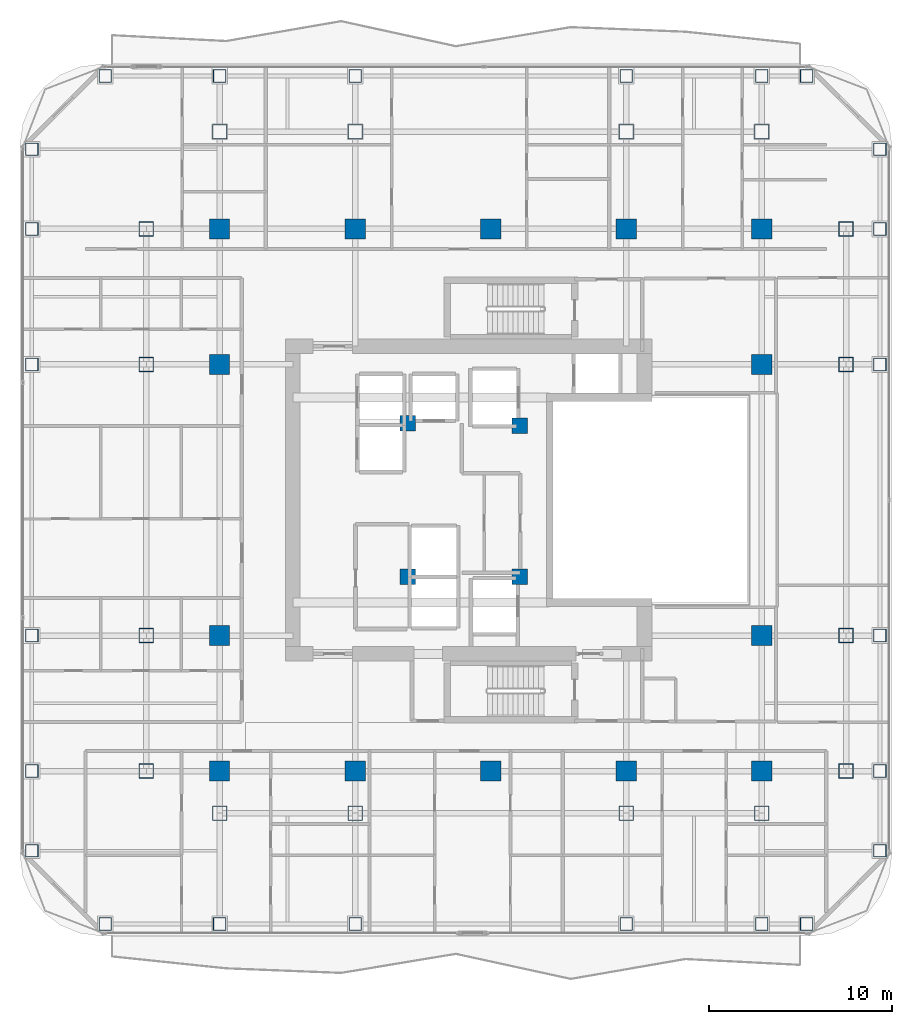
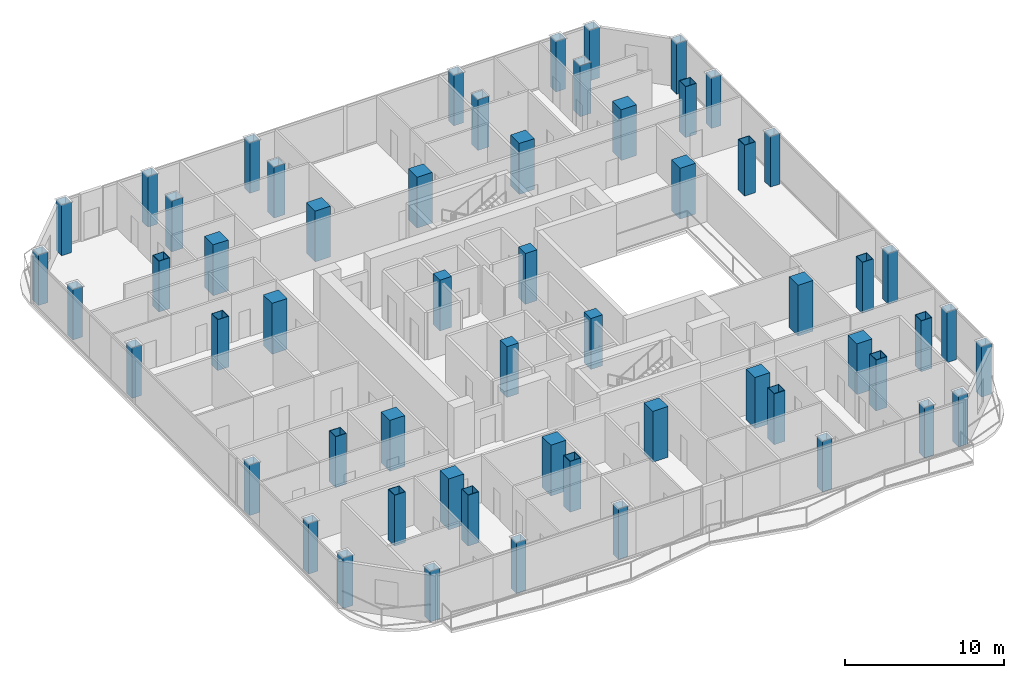
# One storey, part 1 of 26: 58 columns.
"""IFC4 building model written with IfcOpenShell, lengths in metres."""

import ifcopenshell
import ifcopenshell.guid

model = None  # the IFC model being written
_history = None  # IfcOwnerHistory: only IFC2X3 demands one
_inside = {}  # id of a spatial element -> (the spatial element, [elements in it])
_under = {}  # id of a project, library or spatial element -> (it, [spatial elements below it])
_declared = {}  # id of a project -> (the project, [libraries it declares])
_typed = {}  # id of a type object -> (the type object, [elements of that type])
_made_of = {}  # id of a material, layer set ... -> (it, [elements and type objects made of it])


def new_model(schema):
    """Start an empty IFC model of exactly this schema.

    Asked for "IFC4X3", IfcOpenShell would pick the latest addendum, in which some entities
    have other attributes; the version numbers below select the first issue.
    IFC2X3 requires an IfcOwnerHistory on every rooted entity: one is made here for all.
    """
    global model, _history
    if schema == "IFC4X3":
        model = ifcopenshell.file(schema_version=(4, 3, 0, 0))
    else:
        model = ifcopenshell.file(schema=schema)
    _inside.clear()
    _under.clear()
    _declared.clear()
    _typed.clear()
    _made_of.clear()
    _history = None
    if model.schema == "IFC2X3":
        org = make("IfcOrganization", Name="unknown")
        user = make(
            "IfcPersonAndOrganization",
            ThePerson=make("IfcPerson", FamilyName="unknown"),
            TheOrganization=org,
        )
        app = make(
            "IfcApplication",
            ApplicationDeveloper=org,
            Version="unknown",
            ApplicationFullName="unknown",
            ApplicationIdentifier="unknown",
        )
        _history = make(
            "IfcOwnerHistory",
            OwningUser=user,
            OwningApplication=app,
            ChangeAction="ADDED",
            CreationDate=0,
        )
    return model


def make(cls, **values):
    """One entity of the class cls with the attributes given. An attribute that is None is left unset."""
    return model.create_entity(
        cls, **{name: value for name, value in values.items() if value is not None}
    )


def rooted(cls, **values):
    """An entity with a GlobalId (a new one), such as an element, a storey or a relation."""
    return make(cls, GlobalId=ifcopenshell.guid.new(), OwnerHistory=_history, **values)


def si_unit(unit_type, name, prefix=None):
    """IfcSIUnit, for example si_unit("LENGTHUNIT", "METRE", prefix="MILLI")."""
    return make("IfcSIUnit", UnitType=unit_type, Prefix=prefix, Name=name)


def assignment(units):
    """IfcUnitAssignment: the units of a project."""
    return None if units is None else make("IfcUnitAssignment", Units=units)


def point(xyz):
    """IfcCartesianPoint."""
    return None if xyz is None else make("IfcCartesianPoint", Coordinates=xyz)


def direction(xyz):
    """IfcDirection."""
    return None if xyz is None else make("IfcDirection", DirectionRatios=xyz)


def frame(location, z_axis=None, x_axis=None):
    """IfcAxis2Placement3D, a coordinate frame: its origin and axes. An axis left out is left unset."""
    return make(
        "IfcAxis2Placement3D",
        Location=point(location),
        Axis=direction(z_axis),
        RefDirection=direction(x_axis),
    )


def frame_2d(location, x_axis=None):
    """IfcAxis2Placement2D, a coordinate frame in the plane: its origin and x axis."""
    return make(
        "IfcAxis2Placement2D", Location=point(location), RefDirection=direction(x_axis)
    )


def origin():
    """The frame at (0, 0, 0) with its axes left unset."""
    return frame((0.0, 0.0, 0.0))


def origin_2d():
    """The frame at (0, 0) in the plane with its x axis left unset."""
    return frame_2d((0.0, 0.0))


def place(relative_to, where):
    """IfcLocalPlacement: puts the frame where relative to a parent placement (None: the world)."""
    return make(
        "IfcLocalPlacement", PlacementRelTo=relative_to, RelativePlacement=where
    )


def context(
    kind, dimensions, precision=None, world=None, true_north=None, identifier=None
):
    """IfcGeometricRepresentationContext, for example the 3D "Model" context."""
    return make(
        "IfcGeometricRepresentationContext",
        ContextIdentifier=identifier,
        ContextType=kind,
        CoordinateSpaceDimension=dimensions,
        Precision=precision,
        WorldCoordinateSystem=world,
        TrueNorth=true_north,
    )


def subcontext(parent, identifier, kind, view, scale=None):
    """IfcGeometricRepresentationSubContext, for example "Body" below "Model"."""
    return make(
        "IfcGeometricRepresentationSubContext",
        ContextIdentifier=identifier,
        ContextType=kind,
        ParentContext=parent,
        TargetScale=scale,
        TargetView=view,
    )


def project(units=None, contexts=None):
    """IfcProject with its units and contexts."""
    return rooted(
        "IfcProject",
        Name="project",
        RepresentationContexts=contexts,
        UnitsInContext=assignment(units),
    )


def spatial(cls, under=None, at=None, **own):
    """A site, building, storey or space (cls), placed at a placement, below another one or the project."""
    s = rooted(cls, ObjectPlacement=at, **own)
    if under is not None:
        _under.setdefault(under.id(), (under, []))[1].append(s)
    return s


def profile(cls, at=None, kind="AREA", **sizes):
    """A parametric profile (cls). Its sizes go by their IFC names, for example OverallWidth=200.0."""
    return make(cls, ProfileType=kind, Position=at, **sizes)


def rectangle(**sizes):
    """IfcRectangleProfileDef."""
    return profile("IfcRectangleProfileDef", **sizes)


def hollow_rectangle(**sizes):
    """IfcRectangleHollowProfileDef."""
    return profile("IfcRectangleHollowProfileDef", **sizes)


def extrude(swept, where, along, depth):
    """IfcExtrudedAreaSolid: the profile swept, set in the frame where, extruded along a direction by depth."""
    return make(
        "IfcExtrudedAreaSolid",
        SweptArea=swept,
        Position=where,
        ExtrudedDirection=direction(along),
        Depth=depth,
    )


def shape(context_of_items, identifier, shape_type, items):
    """IfcShapeRepresentation: the items that make up one representation, for example the "Body"."""
    return make(
        "IfcShapeRepresentation",
        ContextOfItems=context_of_items,
        RepresentationIdentifier=identifier,
        RepresentationType=shape_type,
        Items=items,
    )


def material(Name=None, Category=None):
    """IfcMaterial."""
    return make("IfcMaterial", Name=Name, Category=Category)


def material_profile(
    of_material, cross_section, Name=None, Category=None, Priority=None
):
    """IfcMaterialProfile: a cross section and its material."""
    return make(
        "IfcMaterialProfile",
        Name=Name,
        Material=of_material,
        Profile=cross_section,
        Priority=Priority,
        Category=Category,
    )


def profile_set(profiles, Name=None, composite=None):
    """IfcMaterialProfileSet."""
    return make(
        "IfcMaterialProfileSet",
        Name=Name,
        MaterialProfiles=profiles,
        CompositeProfile=composite,
    )


def made_of(thing, what):
    """Note that an element or type object is made of a material, layer set ...; save() writes the relation."""
    if what is not None:
        _made_of.setdefault(what.id(), (what, []))[1].append(thing)
    return thing


def type_object(cls, material=None, **own):
    """A type object (cls), such as IfcWallType, which elements share."""
    return made_of(rooted(cls, **own), material)


def element(
    cls,
    number,
    at=None,
    inside=None,
    cuts=None,
    type_object=None,
    material=None,
    context=None,
    identifier="Body",
    shape_type=None,
    held_by="IfcProductDefinitionShape",
    body=None,
    shapes=None,
    **own,
):
    """One element of the class cls, such as IfcWall. Its Tag is "e" and its number.

    at: its placement. inside: the storey or other place that contains it. cuts: it is an
    opening in that element (IfcRelVoidsElement). A single representation is given by context,
    identifier, shape_type and body (its items); several are given by shapes. held_by: the class
    of the entity that holds the representations. save() writes the other relations.
    """
    e = rooted(cls, Tag="e%d" % number, ObjectPlacement=at, **own)
    if body is not None:
        shapes = [shape(context, identifier, shape_type, body)]
    if shapes is not None:
        e.Representation = make(held_by, Representations=shapes)
    if inside is not None:
        _inside.setdefault(inside.id(), (inside, []))[1].append(e)
    if cuts is not None:
        rooted(
            "IfcRelVoidsElement", RelatingBuildingElement=cuts, RelatedOpeningElement=e
        )
    if type_object is not None:
        _typed.setdefault(type_object.id(), (type_object, []))[1].append(e)
    return made_of(e, material)


def aggregate(whole, parts):
    """IfcRelAggregates: a whole, such as a stair, and the parts it consists of."""
    return rooted("IfcRelAggregates", RelatingObject=whole, RelatedObjects=parts)


def save(model, path):
    """Write the relations noted so far, then the file.

    IfcRelAggregates (storeys below a building ...), IfcRelContainedInSpatialStructure (elements
    in a storey), IfcRelDefinesByType, IfcRelAssociatesMaterial and IfcRelDeclares: one each for
    every whole, place, type object, material and project.
    """
    for whole, parts in _under.values():
        aggregate(whole, parts)
    for where, things in _inside.values():
        rooted(
            "IfcRelContainedInSpatialStructure",
            RelatedElements=things,
            RelatingStructure=where,
        )
    for kind, things in _typed.values():
        rooted("IfcRelDefinesByType", RelatedObjects=things, RelatingType=kind)
    for what, things in _made_of.values():
        rooted("IfcRelAssociatesMaterial", RelatedObjects=things, RelatingMaterial=what)
    for by, libraries in _declared.values():
        rooted("IfcRelDeclares", RelatingContext=by, RelatedDefinitions=libraries)
    model.write(path)


model = new_model("IFC4")

# Units and contexts
model_context = context("Model", 3, precision=1e-05, world=origin(), true_north=direction((0.0, 1.0)))
body_context = subcontext(model_context, "Body", "Model", "MODEL_VIEW")
ifc_project = project(units=[si_unit("LENGTHUNIT", "METRE"), si_unit("AREAUNIT", "SQUARE_METRE"), si_unit("VOLUMEUNIT", "CUBIC_METRE"), si_unit("PLANEANGLEUNIT", "RADIAN"), si_unit("MASSUNIT", "GRAM", prefix="KILO")], contexts=[model_context])

# Site, building, storey
site_placement = place(None, origin())
site = spatial("IfcSite", under=ifc_project, at=site_placement, CompositionType="ELEMENT")
building_placement = place(site_placement, origin())
building = spatial("IfcBuilding", under=site, at=building_placement, Name="Khorvyn Point Tower", CompositionType="ELEMENT")
storey_placement = place(building_placement, frame((0.0, 0.0, 187.5)))
storey = spatial("IfcBuildingStorey", under=building, at=storey_placement, Name="L46", CompositionType="ELEMENT", Elevation=187.5)

# Columns
ifc_material_1 = material(Name="Concrete C40/50", Category="concrete")
ifc_material_profile_1 = material_profile(ifc_material_1, rectangle(XDim=0.85009765625, YDim=0.85009765625, at=origin_2d()))
ifc_profile_set_1 = profile_set([ifc_material_profile_1], Name="Concrete C40/50 RC850x850")
column_type_1 = type_object("IfcColumnType", Name="Concrete C40/50 Column RC850x850", PredefinedType="COLUMN", material=ifc_profile_set_1)
for number, where, z_axis, x_axis, name in (
    (1, (-4.52001953125, -4.199951171875, 0.0), (0.0, 0.0, 1.0), (1.0, 0.0, 0.0), "L46 Crown Core Spine Column 1"),
    (2, (1.580078125, -4.179931640625, 0.0), (0.0, 0.0, 1.0), (1.0, 0.0, 0.0), "L46 Crown Core Spine Column 2"),
    (3, (1.580078125, 4.050048828125, 0.0), (0.0, 0.0, 1.0), (1.0, 0.0, 0.0), "L46 Crown Core Spine Column 3"),
    (4, (-4.52001953125, 4.199951171875, 0.0), (0.0, 0.0, 1.0), (1.0, 0.0, 0.0), "L46 Crown Core Spine Column 4"),
):
    element("IfcColumn", number, at=place(storey_placement, frame(where, z_axis=z_axis, x_axis=x_axis)), inside=storey, type_object=column_type_1, Name=name, PredefinedType="COLUMN", context=body_context, shape_type="SweptSolid", body=[
        extrude(rectangle(XDim=0.85009765625, YDim=0.85009765625, at=origin_2d()), origin(), (0.0, 0.0, 1.0), 3.89990234375),
    ])
ifc_material_2 = material(Name="Concrete C45/55", Category="concrete")
ifc_material_profile_2 = material_profile(ifc_material_2, rectangle(XDim=1.10009765625, YDim=1.10009765625, at=origin_2d()))
ifc_profile_set_2 = profile_set([ifc_material_profile_2], Name="Concrete C45/55 RC1100x1100")
column_type_2 = type_object("IfcColumnType", Name="Concrete C45/55 Column RC1100x1100", PredefinedType="COLUMN", material=ifc_profile_set_2)
for number, where, z_axis, x_axis, name in (
    (5, (-14.800048828125, -14.800048828125, 0.0), (0.0, 0.0, 1.0), (1.0, 0.0, 0.0), "L46 Mega-Column MC-01"),
    (6, (-7.39990234375, -14.800048828125, 0.0), (0.0, 0.0, 1.0), (1.0, 0.0, 0.0), "L46 Mega-Column MC-02"),
    (7, (0.0, -14.800048828125, 0.0), (0.0, 0.0, 1.0), (1.0, 0.0, 0.0), "L46 Mega-Column MC-03"),
    (8, (7.39990234375, -14.800048828125, 0.0), (0.0, 0.0, 1.0), (1.0, 0.0, 0.0), "L46 Mega-Column MC-04"),
    (9, (14.800048828125, -14.800048828125, 0.0), (0.0, 0.0, 1.0), (1.0, 0.0, 0.0), "L46 Mega-Column MC-05"),
    (10, (-14.800048828125, 14.800048828125, 0.0), (0.0, 0.0, 1.0), (1.0, 0.0, 0.0), "L46 Mega-Column MC-06"),
    (11, (-7.39990234375, 14.800048828125, 0.0), (0.0, 0.0, 1.0), (1.0, 0.0, 0.0), "L46 Mega-Column MC-07"),
    (12, (0.0, 14.800048828125, 0.0), (0.0, 0.0, 1.0), (1.0, 0.0, 0.0), "L46 Mega-Column MC-08"),
    (13, (7.39990234375, 14.800048828125, 0.0), (0.0, 0.0, 1.0), (1.0, 0.0, 0.0), "L46 Mega-Column MC-09"),
    (14, (14.800048828125, 14.800048828125, 0.0), (0.0, 0.0, 1.0), (1.0, 0.0, 0.0), "L46 Mega-Column MC-10"),
    (15, (-14.800048828125, -7.39990234375, 0.0), (0.0, 0.0, 1.0), (1.0, 0.0, 0.0), "L46 Mega-Column MC-11"),
    (16, (-14.800048828125, 7.39990234375, 0.0), (0.0, 0.0, 1.0), (1.0, 0.0, 0.0), "L46 Mega-Column MC-12"),
    (17, (14.800048828125, -7.39990234375, 0.0), (0.0, 0.0, 1.0), (1.0, 0.0, 0.0), "L46 Mega-Column MC-13"),
    (18, (14.800048828125, 7.39990234375, 0.0), (0.0, 0.0, 1.0), (1.0, 0.0, 0.0), "L46 Mega-Column MC-14"),
):
    element("IfcColumn", number, at=place(storey_placement, frame(where, z_axis=z_axis, x_axis=x_axis)), inside=storey, type_object=column_type_2, Name=name, PredefinedType="COLUMN", context=body_context, shape_type="SweptSolid", body=[
        extrude(rectangle(XDim=1.10009765625, YDim=1.10009765625, at=origin_2d()), origin(), (0.0, 0.0, 1.0), 3.89990234375),
    ])
ifc_material_3 = material(Name="Steel S450", Category="steel")
ifc_material_profile_3 = material_profile(ifc_material_3, hollow_rectangle(XDim=0.699951171875, YDim=0.699951171875, WallThickness=0.031982421875, at=origin_2d()))
ifc_profile_set_3 = profile_set([ifc_material_profile_3], Name="Steel S450 BOX700x700x32")
column_type_3 = type_object("IfcColumnType", Name="Steel S450 Structural Column BOX700x700x32", PredefinedType="COLUMN", material=ifc_profile_set_3)
for number, where, z_axis, x_axis, name in (
    (19, (-21.050048828125, -23.14990234375, 0.0), (0.0, 0.0, 1.0), (1.0, 0.0, 0.0), "L46 Perimeter Tube Column TC-01"),
    (20, (17.25, -23.14990234375, 0.0), (0.0, 0.0, 1.0), (1.0, 0.0, 0.0), "L46 Perimeter Tube Column TC-02"),
    (21, (-21.050048828125, 23.14990234375, 0.0), (0.0, 0.0, 1.0), (1.0, 0.0, 0.0), "L46 Perimeter Tube Column TC-03"),
    (22, (17.25, 23.14990234375, 0.0), (0.0, 0.0, 1.0), (1.0, 0.0, 0.0), "L46 Perimeter Tube Column TC-04"),
    (23, (-25.050048828125, -19.14990234375, 0.0), (0.0, 0.0, 1.0), (1.0, 0.0, 0.0), "L46 Perimeter Tube Column TC-05"),
    (24, (-25.050048828125, 19.14990234375, 0.0), (0.0, 0.0, 1.0), (1.0, 0.0, 0.0), "L46 Perimeter Tube Column TC-06"),
    (25, (21.25, -19.14990234375, 0.0), (0.0, 0.0, 1.0), (1.0, 0.0, 0.0), "L46 Perimeter Tube Column TC-07"),
    (26, (21.25, 19.14990234375, 0.0), (0.0, 0.0, 1.0), (1.0, 0.0, 0.0), "L46 Perimeter Tube Column TC-08"),
    (27, (-14.800048828125, -23.14990234375, 0.0), (0.0, 0.0, 1.0), (1.0, 0.0, 0.0), "L46 Perimeter Tube Column TC-09"),
    (28, (-14.800048828125, 23.14990234375, 0.0), (0.0, 0.0, 1.0), (1.0, 0.0, 0.0), "L46 Perimeter Tube Column TC-10"),
    (29, (-7.39990234375, -23.14990234375, 0.0), (0.0, 0.0, 1.0), (1.0, 0.0, 0.0), "L46 Perimeter Tube Column TC-11"),
    (30, (-7.39990234375, 23.14990234375, 0.0), (0.0, 0.0, 1.0), (1.0, 0.0, 0.0), "L46 Perimeter Tube Column TC-12"),
    (31, (7.39990234375, -23.14990234375, 0.0), (0.0, 0.0, 1.0), (1.0, 0.0, 0.0), "L46 Perimeter Tube Column TC-13"),
    (32, (7.39990234375, 23.14990234375, 0.0), (0.0, 0.0, 1.0), (1.0, 0.0, 0.0), "L46 Perimeter Tube Column TC-14"),
    (33, (14.800048828125, -23.14990234375, 0.0), (0.0, 0.0, 1.0), (1.0, 0.0, 0.0), "L46 Perimeter Tube Column TC-15"),
    (34, (14.800048828125, 23.14990234375, 0.0), (0.0, 0.0, 1.0), (1.0, 0.0, 0.0), "L46 Perimeter Tube Column TC-16"),
    (35, (-25.050048828125, -14.800048828125, 0.0), (0.0, 0.0, 1.0), (1.0, 0.0, 0.0), "L46 Perimeter Tube Column TC-17"),
    (36, (21.25, -14.800048828125, 0.0), (0.0, 0.0, 1.0), (1.0, 0.0, 0.0), "L46 Perimeter Tube Column TC-18"),
    (37, (-25.050048828125, -7.39990234375, 0.0), (0.0, 0.0, 1.0), (1.0, 0.0, 0.0), "L46 Perimeter Tube Column TC-19"),
    (38, (21.25, -7.39990234375, 0.0), (0.0, 0.0, 1.0), (1.0, 0.0, 0.0), "L46 Perimeter Tube Column TC-20"),
    (39, (-25.050048828125, 7.39990234375, 0.0), (0.0, 0.0, 1.0), (1.0, 0.0, 0.0), "L46 Perimeter Tube Column TC-21"),
    (40, (21.25, 7.39990234375, 0.0), (0.0, 0.0, 1.0), (1.0, 0.0, 0.0), "L46 Perimeter Tube Column TC-22"),
    (41, (-25.050048828125, 14.800048828125, 0.0), (0.0, 0.0, 1.0), (1.0, 0.0, 0.0), "L46 Perimeter Tube Column TC-23"),
    (42, (21.25, 14.800048828125, 0.0), (0.0, 0.0, 1.0), (1.0, 0.0, 0.0), "L46 Perimeter Tube Column TC-24"),
):
    element("IfcColumn", number, at=place(storey_placement, frame(where, z_axis=z_axis, x_axis=x_axis)), inside=storey, type_object=column_type_3, Name=name, PredefinedType="COLUMN", context=body_context, shape_type="SweptSolid", body=[
        extrude(hollow_rectangle(XDim=0.699951171875, YDim=0.699951171875, WallThickness=0.031982421875, at=origin_2d()), origin(), (0.0, 0.0, 1.0), 3.89990234375),
    ])
ifc_material_profile_4 = material_profile(ifc_material_3, hollow_rectangle(XDim=0.800048828125, YDim=0.800048828125, WallThickness=0.035888671875, at=origin_2d()))
ifc_profile_set_4 = profile_set([ifc_material_profile_4], Name="Steel S450 BOX800x800x36")
column_type_4 = type_object("IfcColumnType", Name="Steel S450 Structural Column BOX800x800x36", PredefinedType="COLUMN", material=ifc_profile_set_4)
for number, where, z_axis, x_axis, name in (
    (43, (-18.800048828125, -14.800048828125, 0.0), (0.0, 0.0, 1.0), (1.0, 0.0, 0.0), "L46 Intermediate Column ICW--14"),
    (44, (-18.800048828125, -7.39990234375, 0.0), (0.0, 0.0, 1.0), (1.0, 0.0, 0.0), "L46 Intermediate Column ICW--7"),
    (45, (-18.800048828125, 7.39990234375, 0.0), (0.0, 0.0, 1.0), (1.0, 0.0, 0.0), "L46 Intermediate Column ICW-7"),
    (46, (-18.800048828125, 14.800048828125, 0.0), (0.0, 0.0, 1.0), (1.0, 0.0, 0.0), "L46 Intermediate Column ICW-14"),
    (47, (19.39990234375, -14.800048828125, 0.0), (0.0, 0.0, 1.0), (1.0, 0.0, 0.0), "L46 Intermediate Column ICE--14"),
    (48, (19.39990234375, -7.39990234375, 0.0), (0.0, 0.0, 1.0), (1.0, 0.0, 0.0), "L46 Intermediate Column ICE--7"),
    (49, (19.39990234375, 7.39990234375, 0.0), (0.0, 0.0, 1.0), (1.0, 0.0, 0.0), "L46 Intermediate Column ICE-7"),
    (50, (19.39990234375, 14.800048828125, 0.0), (0.0, 0.0, 1.0), (1.0, 0.0, 0.0), "L46 Intermediate Column ICE-14"),
    (51, (-14.800048828125, -17.10009765625, 0.0), (0.0, 0.0, 1.0), (1.0, 0.0, 0.0), "L46 Intermediate Column ICS--14"),
    (52, (-7.39990234375, -17.10009765625, 0.0), (0.0, 0.0, 1.0), (1.0, 0.0, 0.0), "L46 Intermediate Column ICS--7"),
    (53, (7.39990234375, -17.10009765625, 0.0), (0.0, 0.0, 1.0), (1.0, 0.0, 0.0), "L46 Intermediate Column ICS-7"),
    (54, (14.800048828125, -17.10009765625, 0.0), (0.0, 0.0, 1.0), (1.0, 0.0, 0.0), "L46 Intermediate Column ICS-14"),
    (55, (-14.800048828125, 20.10009765625, 0.0), (0.0, 0.0, 1.0), (1.0, 0.0, 0.0), "L46 Intermediate Column ICN--14"),
    (56, (-7.39990234375, 20.10009765625, 0.0), (0.0, 0.0, 1.0), (1.0, 0.0, 0.0), "L46 Intermediate Column ICN--7"),
    (57, (7.39990234375, 20.10009765625, 0.0), (0.0, 0.0, 1.0), (1.0, 0.0, 0.0), "L46 Intermediate Column ICN-7"),
    (58, (14.800048828125, 20.10009765625, 0.0), (0.0, 0.0, 1.0), (1.0, 0.0, 0.0), "L46 Intermediate Column ICN-14"),
):
    element("IfcColumn", number, at=place(storey_placement, frame(where, z_axis=z_axis, x_axis=x_axis)), inside=storey, type_object=column_type_4, Name=name, PredefinedType="COLUMN", context=body_context, shape_type="SweptSolid", body=[
        extrude(hollow_rectangle(XDim=0.800048828125, YDim=0.800048828125, WallThickness=0.035888671875, at=origin_2d()), origin(), (0.0, 0.0, 1.0), 3.89990234375),
    ])

save(model, "model.ifc")
